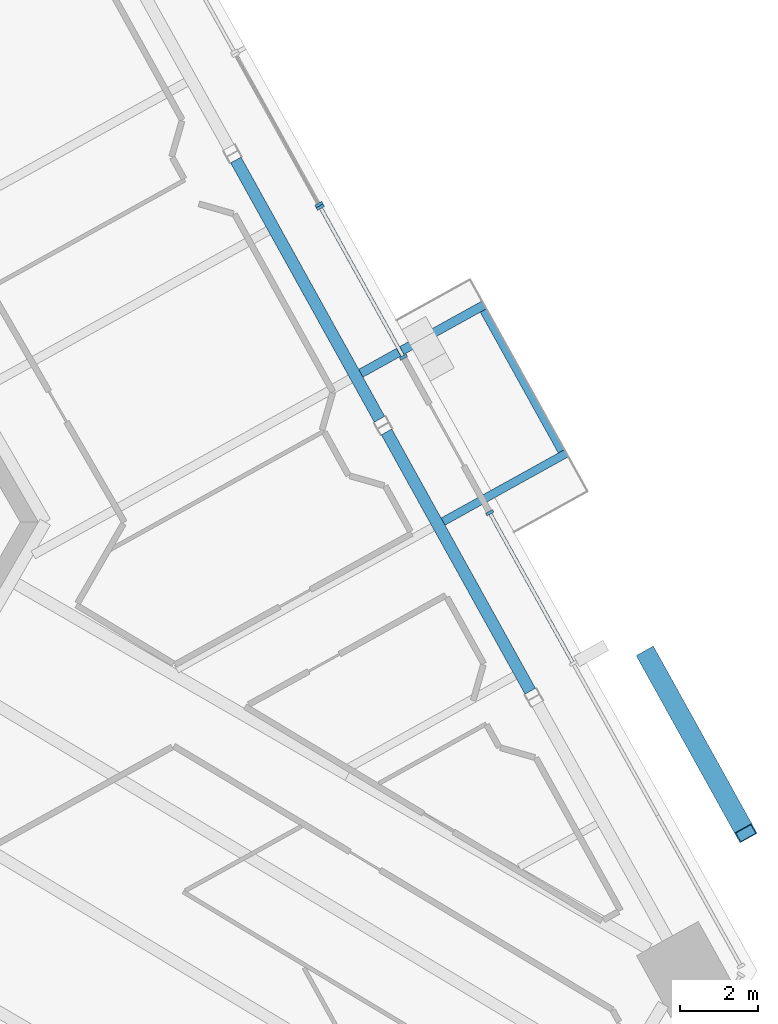
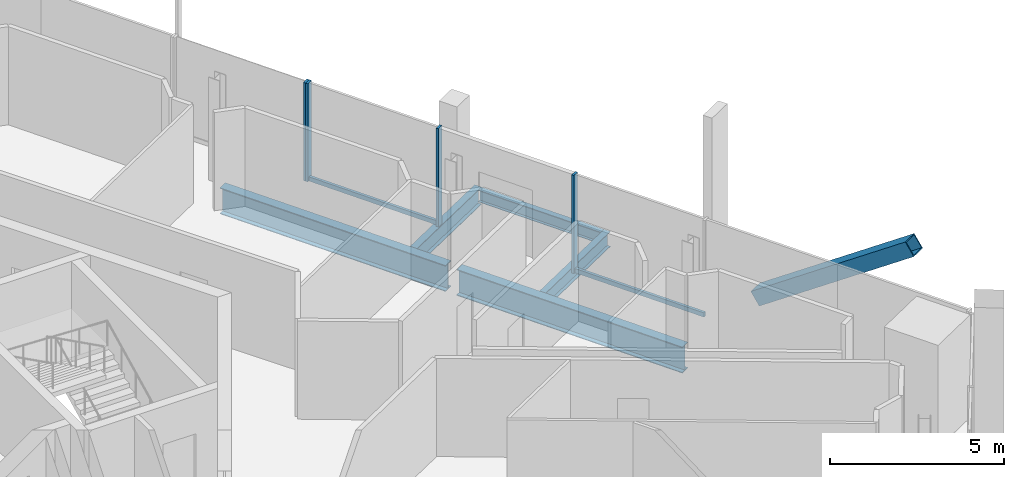
# One storey, part 7 of 22: 7 members, 5 beams, 3 elements without a shape of their own.
"""IFC4 building model written with IfcOpenShell, lengths in metres."""

from ifc_helpers import new_model, si_unit, direction, frame, origin, origin_2d, place, context, subcontext, project, spatial, rectangle, hollow_rectangle, i_section, extrude, source, transform, mapped, material, material_profile, profile_set, type_object, element, aggregate, save


model = new_model("IFC4")

# Units and contexts
model_context = context("Model", 3, precision=1e-05, world=origin(), true_north=direction((0.0, 1.0)))
body_context = subcontext(model_context, "Body", "Model", "MODEL_VIEW")
ifc_project = project(units=[si_unit("LENGTHUNIT", "METRE"), si_unit("AREAUNIT", "SQUARE_METRE"), si_unit("VOLUMEUNIT", "CUBIC_METRE"), si_unit("PLANEANGLEUNIT", "RADIAN"), si_unit("MASSUNIT", "GRAM", prefix="KILO")], contexts=[model_context])

# Site, building, storey
site_placement = place(None, origin())
site = spatial("IfcSite", under=ifc_project, at=site_placement, CompositionType="ELEMENT")
building_placement = place(site_placement, origin())
building = spatial("IfcBuilding", under=site, at=building_placement, Name="Triune Harvest Tower", CompositionType="ELEMENT")
storey_placement = place(building_placement, frame((0.0, 0.0, 208.699951171875)))
storey = spatial("IfcBuildingStorey", under=building, at=storey_placement, Name="L54", CompositionType="ELEMENT", Elevation=208.699951171875)

# Curtain wall, member
ifc_material_1 = material(Name="Aluminium bronze anodised", Category="aluminium")
curtain_wall_type_1 = type_object("IfcCurtainWallType", Name="CW-10 Balcony window wall with insulated spandrel infill", PredefinedType="NOTDEFINED", material=ifc_material_1)
curtain_wall_1_placement = place(storey_placement, origin())
curtain_wall_1 = element("IfcCurtainWall", 1, at=curtain_wall_1_placement, inside=storey, type_object=curtain_wall_type_1, Name="CW-10 B5-F1 L54 run 1")
ifc_material_2 = material(Name="Aluminium bronze anodised", Category="aluminium")
ifc_material_profile_1 = material_profile(ifc_material_2, rectangle(XDim=0.090087890625, YDim=0.14990234375, at=origin_2d()), Name="TR-6 transom 90 x 150")
ifc_profile_set_1 = profile_set([ifc_material_profile_1], Name="Aluminium bronze anodised")
member_type_1 = type_object("IfcMemberType", Name="TR-6 transom 90 x 150", PredefinedType="USERDEFINED", material=ifc_profile_set_1)
member_1_placement = place(storey_placement, frame((25.620849609375, -3.5712890625, 0.074951171875), z_axis=(-0.484826629834, 0.874610278355, 0.0), x_axis=(-0.874610278355, -0.484826629834, 0.0)))
member_1 = element("IfcMember", 2, at=member_1_placement, type_object=member_type_1, Name="CW-10 transom B5-F1 1.2", ObjectType="TRANSOM", PredefinedType="USERDEFINED", context=body_context, shape_type="SweptSolid", body=[
    extrude(rectangle(XDim=0.090087890625, YDim=0.14990234375, at=origin_2d()), origin(), (0.0, 0.0, 1.0), 4.318115234375),
])

# Beams
ifc_material_3 = material(Name="Steel ASTM A992 Gr 50", Category="steel")
ifc_material_profile_2 = material_profile(ifc_material_3, i_section(OverallWidth=0.3046875, OverallDepth=0.914306640625, WebThickness=0.0166015625, FlangeThickness=0.02587890625, at=origin_2d()), Name="W36x160")
ifc_profile_set_2 = profile_set([ifc_material_profile_2], Name="Steel ASTM A992 Gr 50")
beam_type_1 = type_object("IfcBeamType", Name="SB-1 Spandrel beam W36x160", PredefinedType="SPANDREL", material=ifc_profile_set_2)
shared_shape_1 = source(origin(), body_context, "Body", "SweptSolid", [
    extrude(i_section(OverallWidth=0.3046875, OverallDepth=0.914306640625, WebThickness=0.0166015625, FlangeThickness=0.02587890625, at=origin_2d()), origin(), (0.0, 0.0, 1.0), 7.556396484375),
])
for number, where, z_axis, x_axis, name in (
    (3, (24.542236328125, -4.311279296875, -0.6171875), (-0.484806011206, 0.874621707654, 0.0), (-0.874621707654, -0.484806011206, 0.0), "beam/L54/SB2"),
    (4, (20.698974609375, 2.6220703125, -0.6171875), (-0.484806011206, 0.874621707654, 0.0), (-0.874621707654, -0.484806011206, 0.0), "beam/L54/SB3"),
):
    element("IfcBeam", number, at=place(storey_placement, frame(where, z_axis=z_axis, x_axis=x_axis)), inside=storey, type_object=beam_type_1, Name=name, PredefinedType="SPANDREL", context=body_context, shape_type="MappedRepresentation", body=[
        mapped(shared_shape_1, transform((0.0, 0.0, 0.0), scale=1.0)),
    ])

# Member
ifc_material_4 = material(Name="Steel ASTM A572 Gr 50", Category="steel")
ifc_material_profile_3 = material_profile(ifc_material_4, hollow_rectangle(XDim=0.5, YDim=0.5, WallThickness=0.030029296875, at=origin_2d()), Name="Box 500x500x30")
ifc_profile_set_3 = profile_set([ifc_material_profile_3], Name="Steel ASTM A572 Gr 50")
member_type_2 = type_object("IfcMemberType", Name="BR-3 Brace Box 500x500x30", PredefinedType="BRACE", material=ifc_profile_set_3)
shared_shape_2 = source(origin(), body_context, "Body", "SweptSolid", [
    extrude(hollow_rectangle(XDim=0.5, YDim=0.5, WallThickness=0.030029296875, at=origin_2d()), origin(), (0.0, 0.0, 1.0), 6.302978515625),
])
member_2_placement = place(storey_placement, frame((27.53125, -3.408203125, 0.0), z_axis=(0.397957445463, -0.717903766226, 0.571177777963), x_axis=(0.874610982048, 0.484825360395, 0.0)))
element("IfcMember", 5, at=member_2_placement, inside=storey, type_object=member_type_2, Name="brace/B5-F1/d2/9", PredefinedType="BRACE", context=body_context, shape_type="MappedRepresentation", body=[
    mapped(shared_shape_2, transform((0.0, 0.0, 0.0), scale=1.0)),
])

ifc_material_5 = material(Name="Aluminium bronze anodised", Category="aluminium")
ifc_material_profile_4 = material_profile(ifc_material_5, rectangle(XDim=0.199951171875, YDim=0.074951171875, at=origin_2d()), Name="MU-6 mullion 75 x 200")
ifc_profile_set_4 = profile_set([ifc_material_profile_4], Name="Aluminium bronze anodised")
member_type_3 = type_object("IfcMemberType", Name="MU-6 mullion 75 x 200", PredefinedType="MULLION", material=ifc_profile_set_4)
shared_shape_3 = source(origin(), body_context, "Body", "SweptSolid", [
    extrude(rectangle(XDim=0.199951171875, YDim=0.074951171875, at=origin_2d()), origin(), (0.0, 0.0, 1.0), 3.43994140625),
])
member_3_placement = place(storey_placement, frame((23.509033203125, 0.23828125, 0.0), z_axis=(0.0, 0.0, 1.0), x_axis=(-0.874620337497, -0.48480848305, 0.0)))
member_3 = element("IfcMember", 6, at=member_3_placement, type_object=member_type_3, Name="CW-10 mullion B5-F1 1.4", PredefinedType="MULLION", context=body_context, shape_type="MappedRepresentation", body=[
    mapped(shared_shape_3, transform((0.0, 0.0, 0.0), scale=1.0)),
])

aggregate(curtain_wall_1, [member_3, member_1])

# Curtain wall, members
curtain_wall_2_placement = place(storey_placement, origin())
curtain_wall_2 = element("IfcCurtainWall", 7, at=curtain_wall_2_placement, inside=storey, type_object=curtain_wall_type_1, Name="CW-10 B5-F1 L54 run 2")
member_4_placement = place(storey_placement, frame((21.310302734375, 4.205078125, 0.0), z_axis=(0.0, 0.0, 1.0), x_axis=(-0.874625524222, -0.484799125803, 0.0)))
member_4 = element("IfcMember", 8, at=member_4_placement, type_object=member_type_3, Name="CW-10 mullion B5-F1 2.1", PredefinedType="MULLION", context=body_context, shape_type="MappedRepresentation", body=[
    mapped(shared_shape_3, transform((0.0, 0.0, 0.0), scale=1.0)),
])
member_5_placement = place(storey_placement, frame((19.190185546875, 8.02978515625, 0.0), z_axis=(0.0, 0.0, 1.0), x_axis=(-0.874625524222, -0.484799125803, 0.0)))
member_5 = element("IfcMember", 9, at=member_5_placement, type_object=member_type_3, Name="CW-10 mullion B5-F1 2.2", PredefinedType="MULLION", context=body_context, shape_type="MappedRepresentation", body=[
    mapped(shared_shape_3, transform((0.0, 0.0, 0.0), scale=1.0)),
])

# Curtain wall, member
ifc_material_6 = material(Name="Aluminium bronze anodised", Category="aluminium")
curtain_wall_type_2 = type_object("IfcCurtainWallType", Name="CW-6 Balcony window wall", PredefinedType="NOTDEFINED", material=ifc_material_6)
curtain_wall_3_placement = place(storey_placement, origin())
curtain_wall_3 = element("IfcCurtainWall", 10, at=curtain_wall_3_placement, inside=storey, type_object=curtain_wall_type_2, Name="CW-6 B5-F1 L54 run 1002")
member_6_placement = place(storey_placement, frame((19.15380859375, 8.09521484375, 0.0), z_axis=(0.0, 0.0, 1.0), x_axis=(-0.874611855466, -0.484823784769, 0.0)))
member_6 = element("IfcMember", 11, at=member_6_placement, type_object=member_type_3, Name="CW-6 mullion B5-F1 1002.1", PredefinedType="MULLION", context=body_context, shape_type="MappedRepresentation", body=[
    mapped(shared_shape_3, transform((0.0, 0.0, 0.0), scale=1.0)),
])
aggregate(curtain_wall_3, [member_6])

# Beams
ifc_material_7 = material(Name="Steel ASTM A992 Gr 50", Category="steel")
ifc_material_profile_5 = material_profile(ifc_material_7, i_section(OverallWidth=0.2099609375, OverallDepth=0.535888671875, WebThickness=0.010986328125, FlangeThickness=0.017333984375, at=origin_2d()), Name="W21x68")
ifc_profile_set_5 = profile_set([ifc_material_profile_5], Name="Steel ASTM A992 Gr 50")
beam_type_2 = type_object("IfcBeamType", Name="BJ-2 Balcony cantilever joist W21x68", PredefinedType="JOIST", material=ifc_profile_set_5)
shared_shape_4 = source(origin(), body_context, "Body", "SweptSolid", [
    extrude(i_section(OverallWidth=0.2099609375, OverallDepth=0.535888671875, WebThickness=0.010986328125, FlangeThickness=0.017333984375, at=origin_2d()), origin(), (0.0, 0.0, 1.0), 3.59765625),
])
beam_1_placement = place(storey_placement, frame((22.319580078125, 0.012451171875, -0.427978515625), z_axis=(0.874633787647, 0.484784217468, 0.0), x_axis=(-0.484784217468, 0.874633787647, 0.0)))
element("IfcBeam", 12, at=beam_1_placement, inside=storey, type_object=beam_type_2, Name="Balcony cantilever joist B5-F1 L54.4a", PredefinedType="JOIST", context=body_context, shape_type="MappedRepresentation", body=[
    mapped(shared_shape_4, transform((0.0, 0.0, 0.0), scale=1.0)),
])
ifc_material_8 = material(Name="Steel ASTM A992 Gr 50", Category="steel")
ifc_material_profile_6 = material_profile(ifc_material_8, i_section(OverallWidth=0.22900390625, OverallDepth=0.612060546875, WebThickness=0.011962890625, FlangeThickness=0.01953125, at=origin_2d()), Name="W24x84")
ifc_profile_set_6 = profile_set([ifc_material_profile_6], Name="Steel ASTM A992 Gr 50")
beam_type_3 = type_object("IfcBeamType", Name="BJ-3 Balcony cantilever joist W24x84", PredefinedType="JOIST", material=ifc_profile_set_6)
shared_shape_5 = source(origin(), body_context, "Body", "SweptSolid", [
    extrude(i_section(OverallWidth=0.22900390625, OverallDepth=0.612060546875, WebThickness=0.011962890625, FlangeThickness=0.01953125, at=origin_2d()), origin(), (0.0, 0.0, 1.0), 3.597900390625),
])
beam_2_placement = place(storey_placement, frame((20.223388671875, 3.794189453125, -0.466064453125), z_axis=(0.874605014278, 0.484836125923, 0.0), x_axis=(-0.484836125923, 0.874605014278, 0.0)))
element("IfcBeam", 13, at=beam_2_placement, inside=storey, type_object=beam_type_3, Name="Balcony cantilever joist B5-F1 L54.4b", PredefinedType="JOIST", context=body_context, shape_type="MappedRepresentation", body=[
    mapped(shared_shape_5, transform((0.0, 0.0, 0.0), scale=1.0)),
])
ifc_material_9 = material(Name="Steel ASTM A992 Gr 50", Category="steel")
ifc_material_profile_7 = material_profile(ifc_material_9, i_section(OverallWidth=0.180908203125, OverallDepth=0.41650390625, WebThickness=0.010986328125, FlangeThickness=0.01806640625, at=origin_2d()), Name="W16x57")
ifc_profile_set_7 = profile_set([ifc_material_profile_7], Name="Steel ASTM A992 Gr 50")
beam_type_4 = type_object("IfcBeamType", Name="BE-1 balcony edge beam W16x57", PredefinedType="BEAM", material=ifc_profile_set_7)
shared_shape_6 = source(origin(), body_context, "Body", "SweptSolid", [
    extrude(i_section(OverallWidth=0.180908203125, OverallDepth=0.41650390625, WebThickness=0.010986328125, FlangeThickness=0.01806640625, at=origin_2d()), origin(), (0.0, 0.0, 1.0), 4.1044921875),
])
beam_3_placement = place(storey_placement, frame((23.346435546875, 5.39453125, -0.3681640625), z_axis=(0.484784125678, -0.874633838524, 0.0), x_axis=(0.874633838524, 0.484784125678, 0.0)))
element("IfcBeam", 14, at=beam_3_placement, inside=storey, type_object=beam_type_4, Name="Balcony edge beam B5-F1 L54.4", PredefinedType="BEAM", context=body_context, shape_type="MappedRepresentation", body=[
    mapped(shared_shape_6, transform((0.0, 0.0, 0.0), scale=1.0)),
])

# Member
shared_shape_7 = source(origin(), body_context, "Body", "SweptSolid", [
    extrude(rectangle(XDim=0.090087890625, YDim=0.14990234375, at=origin_2d()), origin(), (0.0, 0.0, 1.0), 4.297607421875),
])
member_7_placement = place(storey_placement, frame((21.2919921875, 4.238037109375, 0.074951171875), z_axis=(-0.48480344267, 0.874623131397, 0.0), x_axis=(-0.874623131397, -0.48480344267, 0.0)))
member_7 = element("IfcMember", 15, at=member_7_placement, type_object=member_type_1, Name="CW-10 transom B5-F1 2.1", ObjectType="TRANSOM", PredefinedType="USERDEFINED", context=body_context, shape_type="MappedRepresentation", body=[
    mapped(shared_shape_7, transform((0.0, 0.0, 0.0), scale=1.0)),
])

aggregate(curtain_wall_2, [member_4, member_5, member_7])

save(model, "model.ifc")
